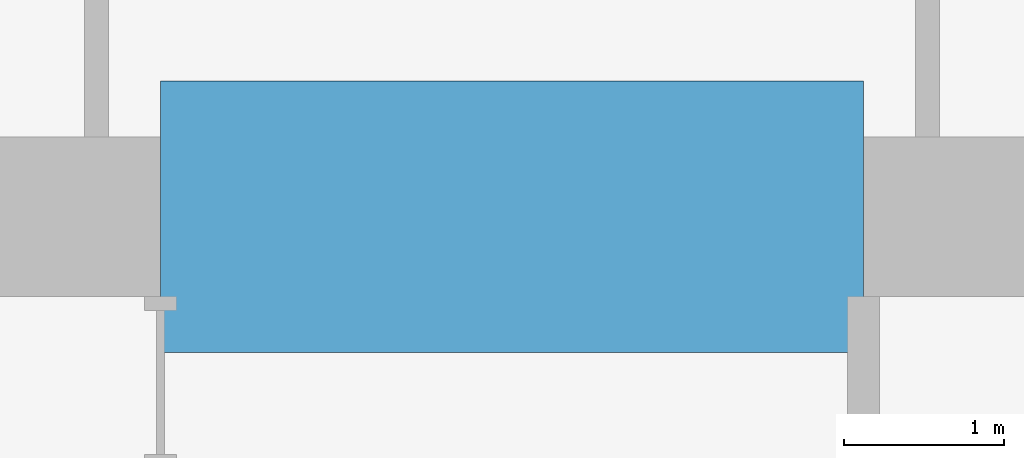
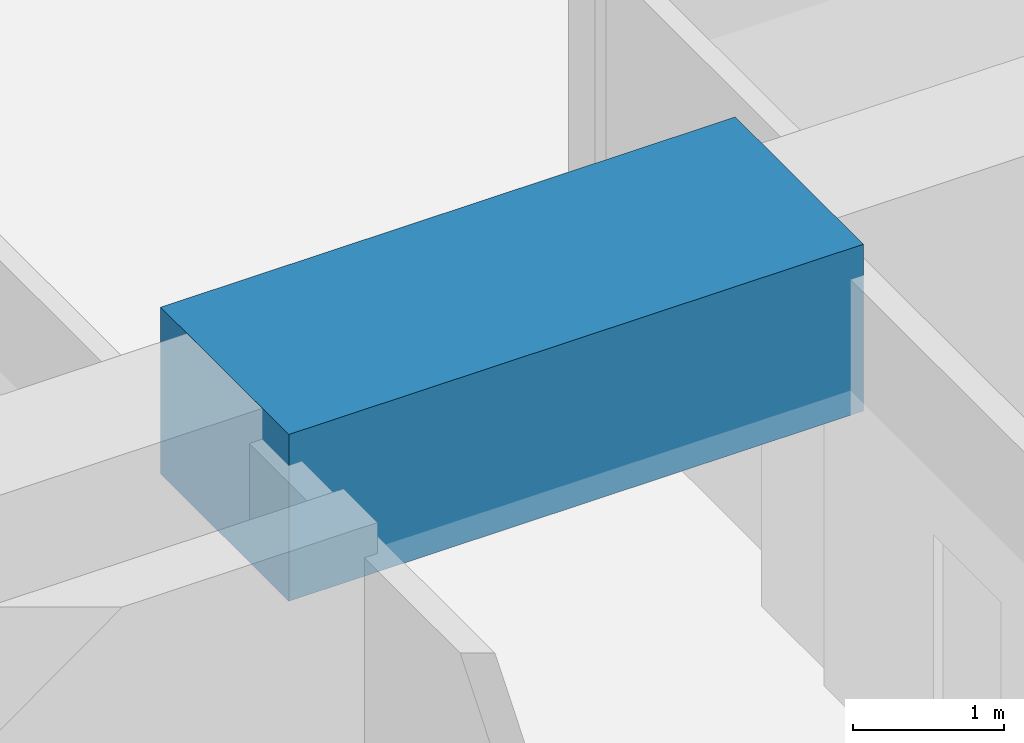
# One storey, part 18 of 40: 1 beam.
"""IFC4 building model written with IfcOpenShell, lengths in metres."""

from ifc_helpers import new_model, si_unit, direction, frame, origin, origin_2d, place, context, subcontext, project, spatial, rectangle, extrude, material, material_profile, profile_set, type_object, element, save


model = new_model("IFC4")

# Units and contexts
model_context = context("Model", 3, precision=1e-05, world=origin(), true_north=direction((0.0, 1.0)))
body_context = subcontext(model_context, "Body", "Model", "MODEL_VIEW")
ifc_project = project(units=[si_unit("LENGTHUNIT", "METRE"), si_unit("AREAUNIT", "SQUARE_METRE"), si_unit("VOLUMEUNIT", "CUBIC_METRE"), si_unit("PLANEANGLEUNIT", "RADIAN"), si_unit("MASSUNIT", "GRAM", prefix="KILO")], contexts=[model_context])

# Site, building, storey
site_placement = place(None, origin())
site = spatial("IfcSite", under=ifc_project, at=site_placement, CompositionType="ELEMENT")
building_placement = place(site_placement, origin())
building = spatial("IfcBuilding", under=site, at=building_placement, Name="Rekha Terrace Tower", CompositionType="ELEMENT")
storey_placement = place(building_placement, frame((0.0, 0.0, 136.550048828125)))
storey = spatial("IfcBuildingStorey", under=building, at=storey_placement, Name="L34", CompositionType="ELEMENT", Elevation=136.550048828125)

# Beam
ifc_material = material(Name="Concrete M70", Category="concrete")
ifc_material_profile = material_profile(ifc_material, rectangle(XDim=1.699951171875, YDim=1.35009765625, at=origin_2d()), Name="RC 1700x1350")
ifc_profile_set = profile_set([ifc_material_profile], Name="Concrete M70")
beam_type = type_object("IfcBeamType", Name="LB2A 1700x1350 diagonally reinforced coupling beam", PredefinedType="LINTEL", material=ifc_profile_set)
beam_placement = place(storey_placement, frame((35.60009765625, 46.199951171875, 3.074951171875), z_axis=(1.0, 0.0, 0.0), x_axis=(0.0, 1.0, 0.0)))
element("IfcBeam", 1, at=beam_placement, inside=storey, type_object=beam_type, Name="Coupling beam LB2A N L34", PredefinedType="LINTEL", context=body_context, shape_type="SweptSolid", body=[
    extrude(rectangle(XDim=1.699951171875, YDim=1.35009765625, at=origin_2d()), origin(), (0.0, 0.0, 1.0), 4.39990234375),
])

save(model, "model.ifc")
